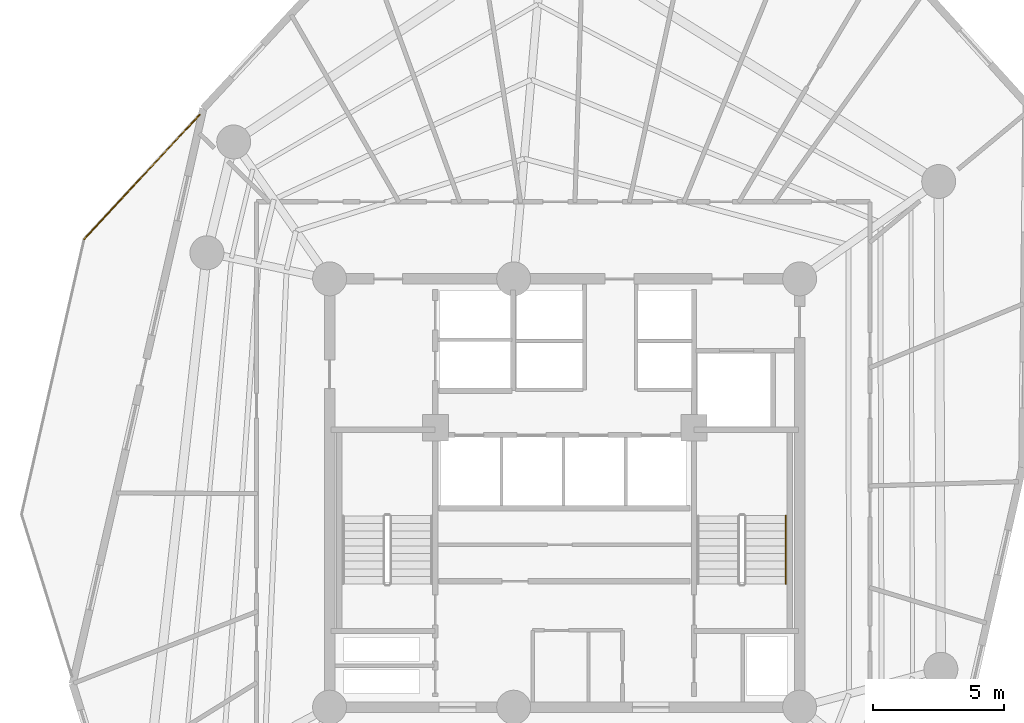
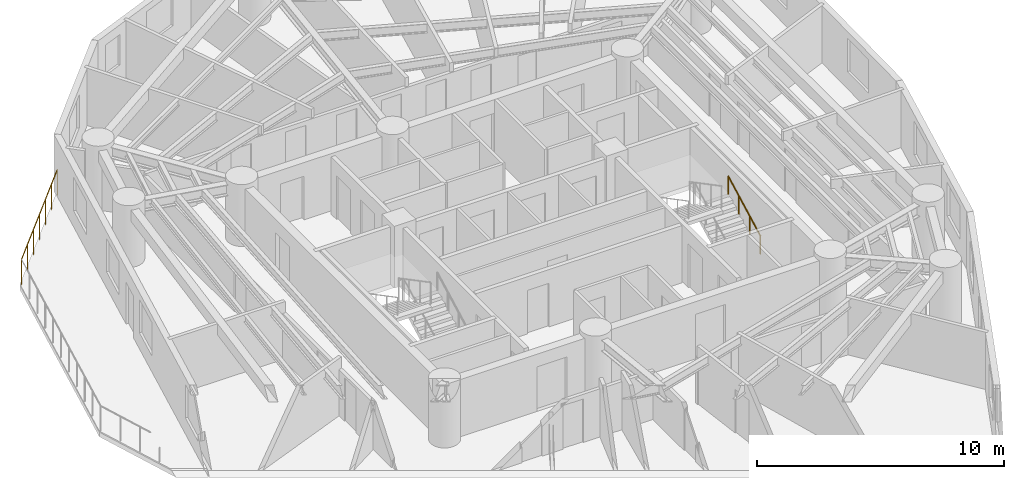
# One storey, part 9 of 9: 2 railings.
"""IFC4 building model written with IfcOpenShell, lengths in metres."""

import ifcopenshell
import ifcopenshell.guid

model = None  # the IFC model being written
_history = None  # IfcOwnerHistory: only IFC2X3 demands one
_inside = {}  # id of a spatial element -> (the spatial element, [elements in it])
_under = {}  # id of a project, library or spatial element -> (it, [spatial elements below it])
_declared = {}  # id of a project -> (the project, [libraries it declares])
_typed = {}  # id of a type object -> (the type object, [elements of that type])
_made_of = {}  # id of a material, layer set ... -> (it, [elements and type objects made of it])


def new_model(schema):
    """Start an empty IFC model of exactly this schema.

    Asked for "IFC4X3", IfcOpenShell would pick the latest addendum, in which some entities
    have other attributes; the version numbers below select the first issue.
    IFC2X3 requires an IfcOwnerHistory on every rooted entity: one is made here for all.
    """
    global model, _history
    if schema == "IFC4X3":
        model = ifcopenshell.file(schema_version=(4, 3, 0, 0))
    else:
        model = ifcopenshell.file(schema=schema)
    _inside.clear()
    _under.clear()
    _declared.clear()
    _typed.clear()
    _made_of.clear()
    _history = None
    if model.schema == "IFC2X3":
        org = make("IfcOrganization", Name="unknown")
        user = make(
            "IfcPersonAndOrganization",
            ThePerson=make("IfcPerson", FamilyName="unknown"),
            TheOrganization=org,
        )
        app = make(
            "IfcApplication",
            ApplicationDeveloper=org,
            Version="unknown",
            ApplicationFullName="unknown",
            ApplicationIdentifier="unknown",
        )
        _history = make(
            "IfcOwnerHistory",
            OwningUser=user,
            OwningApplication=app,
            ChangeAction="ADDED",
            CreationDate=0,
        )
    return model


def make(cls, **values):
    """One entity of the class cls with the attributes given. An attribute that is None is left unset."""
    return model.create_entity(
        cls, **{name: value for name, value in values.items() if value is not None}
    )


def rooted(cls, **values):
    """An entity with a GlobalId (a new one), such as an element, a storey or a relation."""
    return make(cls, GlobalId=ifcopenshell.guid.new(), OwnerHistory=_history, **values)


def si_unit(unit_type, name, prefix=None):
    """IfcSIUnit, for example si_unit("LENGTHUNIT", "METRE", prefix="MILLI")."""
    return make("IfcSIUnit", UnitType=unit_type, Prefix=prefix, Name=name)


def assignment(units):
    """IfcUnitAssignment: the units of a project."""
    return None if units is None else make("IfcUnitAssignment", Units=units)


def point(xyz):
    """IfcCartesianPoint."""
    return None if xyz is None else make("IfcCartesianPoint", Coordinates=xyz)


def direction(xyz):
    """IfcDirection."""
    return None if xyz is None else make("IfcDirection", DirectionRatios=xyz)


def frame(location, z_axis=None, x_axis=None):
    """IfcAxis2Placement3D, a coordinate frame: its origin and axes. An axis left out is left unset."""
    return make(
        "IfcAxis2Placement3D",
        Location=point(location),
        Axis=direction(z_axis),
        RefDirection=direction(x_axis),
    )


def frame_2d(location, x_axis=None):
    """IfcAxis2Placement2D, a coordinate frame in the plane: its origin and x axis."""
    return make(
        "IfcAxis2Placement2D", Location=point(location), RefDirection=direction(x_axis)
    )


def origin():
    """The frame at (0, 0, 0) with its axes left unset."""
    return frame((0.0, 0.0, 0.0))


def origin_2d():
    """The frame at (0, 0) in the plane with its x axis left unset."""
    return frame_2d((0.0, 0.0))


def place(relative_to, where):
    """IfcLocalPlacement: puts the frame where relative to a parent placement (None: the world)."""
    return make(
        "IfcLocalPlacement", PlacementRelTo=relative_to, RelativePlacement=where
    )


def context(
    kind, dimensions, precision=None, world=None, true_north=None, identifier=None
):
    """IfcGeometricRepresentationContext, for example the 3D "Model" context."""
    return make(
        "IfcGeometricRepresentationContext",
        ContextIdentifier=identifier,
        ContextType=kind,
        CoordinateSpaceDimension=dimensions,
        Precision=precision,
        WorldCoordinateSystem=world,
        TrueNorth=true_north,
    )


def subcontext(parent, identifier, kind, view, scale=None):
    """IfcGeometricRepresentationSubContext, for example "Body" below "Model"."""
    return make(
        "IfcGeometricRepresentationSubContext",
        ContextIdentifier=identifier,
        ContextType=kind,
        ParentContext=parent,
        TargetScale=scale,
        TargetView=view,
    )


def project(units=None, contexts=None):
    """IfcProject with its units and contexts."""
    return rooted(
        "IfcProject",
        Name="project",
        RepresentationContexts=contexts,
        UnitsInContext=assignment(units),
    )


def spatial(cls, under=None, at=None, **own):
    """A site, building, storey or space (cls), placed at a placement, below another one or the project."""
    s = rooted(cls, ObjectPlacement=at, **own)
    if under is not None:
        _under.setdefault(under.id(), (under, []))[1].append(s)
    return s


def profile(cls, at=None, kind="AREA", **sizes):
    """A parametric profile (cls). Its sizes go by their IFC names, for example OverallWidth=200.0."""
    return make(cls, ProfileType=kind, Position=at, **sizes)


def circle(**sizes):
    """IfcCircleProfileDef."""
    return profile("IfcCircleProfileDef", **sizes)


def extrude(swept, where, along, depth):
    """IfcExtrudedAreaSolid: the profile swept, set in the frame where, extruded along a direction by depth."""
    return make(
        "IfcExtrudedAreaSolid",
        SweptArea=swept,
        Position=where,
        ExtrudedDirection=direction(along),
        Depth=depth,
    )


def shape(context_of_items, identifier, shape_type, items):
    """IfcShapeRepresentation: the items that make up one representation, for example the "Body"."""
    return make(
        "IfcShapeRepresentation",
        ContextOfItems=context_of_items,
        RepresentationIdentifier=identifier,
        RepresentationType=shape_type,
        Items=items,
    )


def material(Name=None, Category=None):
    """IfcMaterial."""
    return make("IfcMaterial", Name=Name, Category=Category)


def layer(
    of_material, thickness, ventilated=None, Name=None, Category=None, Priority=None
):
    """IfcMaterialLayer: one layer of a wall or slab, of a material (None: an air gap)."""
    return make(
        "IfcMaterialLayer",
        Material=of_material,
        LayerThickness=thickness,
        IsVentilated=ventilated,
        Name=Name,
        Category=Category,
        Priority=Priority,
    )


def layer_set(layers, Name=None):
    """IfcMaterialLayerSet."""
    return make("IfcMaterialLayerSet", MaterialLayers=layers, LayerSetName=Name)


def made_of(thing, what):
    """Note that an element or type object is made of a material, layer set ...; save() writes the relation."""
    if what is not None:
        _made_of.setdefault(what.id(), (what, []))[1].append(thing)
    return thing


def type_object(cls, material=None, **own):
    """A type object (cls), such as IfcWallType, which elements share."""
    return made_of(rooted(cls, **own), material)


def element(
    cls,
    number,
    at=None,
    inside=None,
    cuts=None,
    type_object=None,
    material=None,
    context=None,
    identifier="Body",
    shape_type=None,
    held_by="IfcProductDefinitionShape",
    body=None,
    shapes=None,
    **own,
):
    """One element of the class cls, such as IfcWall. Its Tag is "e" and its number.

    at: its placement. inside: the storey or other place that contains it. cuts: it is an
    opening in that element (IfcRelVoidsElement). A single representation is given by context,
    identifier, shape_type and body (its items); several are given by shapes. held_by: the class
    of the entity that holds the representations. save() writes the other relations.
    """
    e = rooted(cls, Tag="e%d" % number, ObjectPlacement=at, **own)
    if body is not None:
        shapes = [shape(context, identifier, shape_type, body)]
    if shapes is not None:
        e.Representation = make(held_by, Representations=shapes)
    if inside is not None:
        _inside.setdefault(inside.id(), (inside, []))[1].append(e)
    if cuts is not None:
        rooted(
            "IfcRelVoidsElement", RelatingBuildingElement=cuts, RelatedOpeningElement=e
        )
    if type_object is not None:
        _typed.setdefault(type_object.id(), (type_object, []))[1].append(e)
    return made_of(e, material)


def aggregate(whole, parts):
    """IfcRelAggregates: a whole, such as a stair, and the parts it consists of."""
    return rooted("IfcRelAggregates", RelatingObject=whole, RelatedObjects=parts)


def save(model, path):
    """Write the relations noted so far, then the file.

    IfcRelAggregates (storeys below a building ...), IfcRelContainedInSpatialStructure (elements
    in a storey), IfcRelDefinesByType, IfcRelAssociatesMaterial and IfcRelDeclares: one each for
    every whole, place, type object, material and project.
    """
    for whole, parts in _under.values():
        aggregate(whole, parts)
    for where, things in _inside.values():
        rooted(
            "IfcRelContainedInSpatialStructure",
            RelatedElements=things,
            RelatingStructure=where,
        )
    for kind, things in _typed.values():
        rooted("IfcRelDefinesByType", RelatedObjects=things, RelatingType=kind)
    for what, things in _made_of.values():
        rooted("IfcRelAssociatesMaterial", RelatedObjects=things, RelatingMaterial=what)
    for by, libraries in _declared.values():
        rooted("IfcRelDeclares", RelatingContext=by, RelatedDefinitions=libraries)
    model.write(path)


model = new_model("IFC4")

# Units and contexts
model_context = context("Model", 3, precision=1e-05, world=origin(), true_north=direction((0.0, 1.0)))
body_context = subcontext(model_context, "Body", "Model", "MODEL_VIEW")
ifc_project = project(units=[si_unit("LENGTHUNIT", "METRE"), si_unit("AREAUNIT", "SQUARE_METRE"), si_unit("VOLUMEUNIT", "CUBIC_METRE"), si_unit("PLANEANGLEUNIT", "RADIAN"), si_unit("MASSUNIT", "GRAM", prefix="KILO")], contexts=[model_context])

# Site, building, storey
site_placement = place(None, origin())
site = spatial("IfcSite", under=ifc_project, at=site_placement, CompositionType="ELEMENT")
building_placement = place(site_placement, origin())
building = spatial("IfcBuilding", under=site, at=building_placement, Name="Karkom Vertical University and Central Library", CompositionType="ELEMENT")
storey_placement = place(building_placement, frame((0.0, 0.0, 156.550048828125)))
storey = spatial("IfcBuildingStorey", under=building, at=storey_placement, Name="L44", CompositionType="ELEMENT", Elevation=156.550048828125)

# Railings
ifc_material_1 = material(Name="Architectural painted steel & laminated glass balustrade", Category="steel")
ifc_layer_1 = layer(ifc_material_1, 0.090087890625)
ifc_layer_set_1 = layer_set([ifc_layer_1], Name="Architectural painted steel & laminated glass balustrade")
railing_type_1 = type_object("IfcRailingType", Name="ENV-RL-BAL1300", PredefinedType="BALUSTRADE", material=ifc_layer_set_1)
railing_1_placement = place(storey_placement, frame((10.10205078125, 36.218017578125, 0.0)))
element("IfcRailing", 1, at=railing_1_placement, inside=storey, type_object=railing_type_1, Name="Level 44 Planted Terrace Safety Balustrade 02", PredefinedType="BALUSTRADE", context=body_context, shape_type="SweptSolid", body=[
    extrude(circle(Radius=0.02392578125, at=origin_2d()), frame((0.0, 0.0, 1.27587890625), z_axis=(0.680289977565, 0.732943071749, 0.0), x_axis=(-0.732943071749, 0.680289977565, 0.0)), (0.0, 0.0, 1.0), 6.510009765625),
    extrude(circle(Radius=0.02099609375, at=origin_2d()), origin(), (0.0, 0.0, 1.0), 1.251953125),
    extrude(circle(Radius=0.02099609375, at=origin_2d()), frame((0.738037109375, 0.795166015625, 0.0)), (0.0, 0.0, 1.0), 1.251953125),
    extrude(circle(Radius=0.02099609375, at=origin_2d()), frame((1.476318359375, 1.590576171875, 0.0)), (0.0, 0.0, 1.0), 1.251953125),
    extrude(circle(Radius=0.02099609375, at=origin_2d()), frame((2.21435546875, 2.3857421875, 0.0)), (0.0, 0.0, 1.0), 1.251953125),
    extrude(circle(Radius=0.02099609375, at=origin_2d()), frame((2.952392578125, 3.180908203125, 0.0)), (0.0, 0.0, 1.0), 1.251953125),
    extrude(circle(Radius=0.02099609375, at=origin_2d()), frame((3.690673828125, 3.976318359375, 0.0)), (0.0, 0.0, 1.0), 1.251953125),
    extrude(circle(Radius=0.02099609375, at=origin_2d()), frame((4.4287109375, 4.771484375, 0.0)), (0.0, 0.0, 1.0), 1.251953125),
])
ifc_material_2 = material(Name="Brushed stainless-steel tubular handrail", Category="steel")
ifc_layer_2 = layer(ifc_material_2, 0.048095703125)
ifc_layer_set_2 = layer_set([ifc_layer_2], Name="Brushed stainless-steel tubular handrail")
railing_type_2 = type_object("IfcRailingType", Name="INT-RL-HAND920", PredefinedType="HANDRAIL", material=ifc_layer_set_2)
railing_2_placement = place(storey_placement, frame((36.969970703125, 23.02001953125, 0.15234375)))
element("IfcRailing", 2, at=railing_2_placement, inside=storey, type_object=railing_type_2, Name="Level 44 ST-2 stair handrail 1", PredefinedType="HANDRAIL", context=body_context, shape_type="SweptSolid", body=[
    extrude(circle(Radius=0.02392578125, at=origin_2d()), frame((0.0, 0.0, 0.8759765625), z_axis=(0.0, 0.885065446896, 0.46546659892), x_axis=(-1.0, 0.0, 0.0)), (0.0, 0.0, 1.0), 2.94873046875),
    extrude(circle(Radius=0.02099609375, at=origin_2d()), origin(), (0.0, 0.0, 1.0), 0.851806640625),
    extrude(circle(Radius=0.02099609375, at=origin_2d()), frame((0.0, 0.869873046875, 0.45751953125)), (0.0, 0.0, 1.0), 0.851806640625),
    extrude(circle(Radius=0.02099609375, at=origin_2d()), frame((0.0, 1.739990234375, 0.9150390625)), (0.0, 0.0, 1.0), 0.851806640625),
    extrude(circle(Radius=0.02099609375, at=origin_2d()), frame((0.0, 2.60986328125, 1.37255859375)), (0.0, 0.0, 1.0), 0.851806640625),
])

save(model, "model.ifc")
